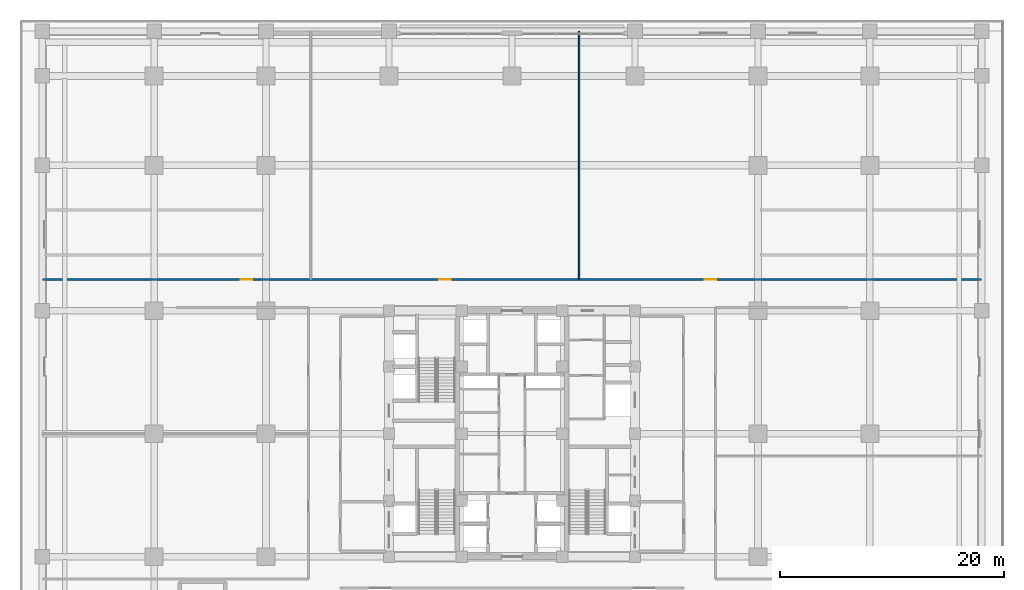
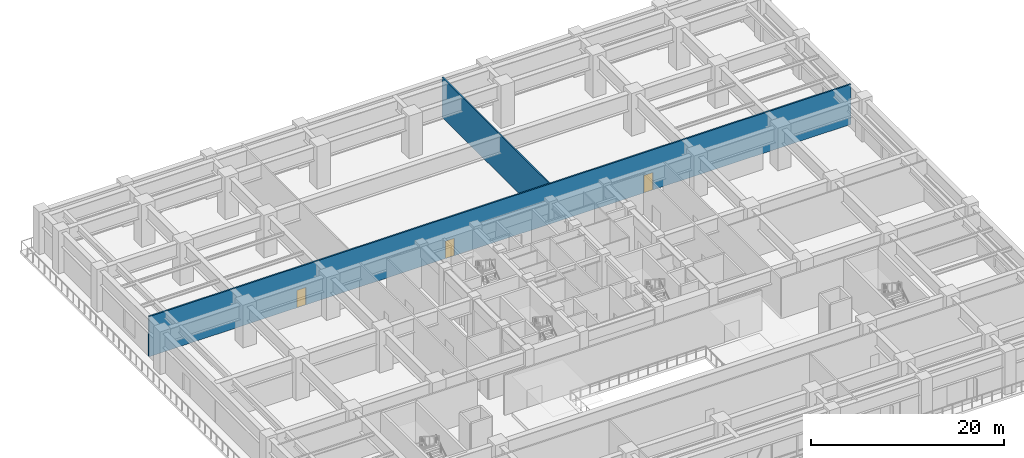
# One storey, part 19 of 28: 3 doors, 2 walls, 3 openings.
"""IFC4 building model written with IfcOpenShell, lengths in metres."""

from ifc_helpers import new_model, si_unit, direction, frame, frame_2d, origin, place, context, subcontext, project, spatial, rectangle, extrude, source, transform, mapped, material, layer, layer_set, type_object, element, fill, save


model = new_model("IFC4")

# Units and contexts
model_context = context("Model", 3, precision=1e-05, world=origin(), true_north=direction((0.0, 1.0)))
body_context = subcontext(model_context, "Body", "Model", "MODEL_VIEW")
ifc_project = project(units=[si_unit("LENGTHUNIT", "METRE"), si_unit("AREAUNIT", "SQUARE_METRE"), si_unit("VOLUMEUNIT", "CUBIC_METRE"), si_unit("PLANEANGLEUNIT", "RADIAN"), si_unit("MASSUNIT", "GRAM", prefix="KILO")], contexts=[model_context])

# Site, building, storey
site_placement = place(None, origin())
site = spatial("IfcSite", under=ifc_project, at=site_placement, CompositionType="ELEMENT")
building_placement = place(site_placement, origin())
building = spatial("IfcBuilding", under=site, at=building_placement, Name="Khorayat Bourse Tower", CompositionType="ELEMENT")
storey_placement = place(building_placement, frame((0.0, 0.0, 12.0)))
storey = spatial("IfcBuildingStorey", under=building, at=storey_placement, Name="L02", CompositionType="ELEMENT", Elevation=12.0)

# Wall, openings, doors
ifc_material_1 = material(Name="Gypsum plasterboard acoustic stud wall")
ifc_layer_1 = layer(ifc_material_1, 0.179931640625)
ifc_layer_set_1 = layer_set([ifc_layer_1], Name="Gypsum plasterboard acoustic stud wall")
wall_type_1 = type_object("IfcWallType", Name="WAL-PART-CORR-180", PredefinedType="PARTITIONING", material=ifc_layer_set_1)
shared_shape_1 = source(origin(), body_context, "Body", "SweptSolid", [
    extrude(rectangle(XDim=84.0, YDim=0.179931640625, at=frame_2d((42.0, 0.0))), origin(), (0.0, 0.0, 1.0), 5.080078125),
])
wall_1_placement = place(storey_placement, frame((-42.0, 13.800048828125, 0.0), z_axis=(0.0, 0.0, 1.0), x_axis=(1.0, 0.0, 0.0)))
wall_1 = element("IfcWall", 1, at=wall_1_placement, inside=storey, type_object=wall_type_1, Name="L02 Partition WAL-L02-PCORRN-N", PredefinedType="PARTITIONING", context=body_context, shape_type="MappedRepresentation", body=[
    mapped(shared_shape_1, transform((0.0, 0.0, 0.0), scale=1.0)),
])
shared_shape_2 = source(origin(), body_context, "Body", "SweptSolid", [
    extrude(rectangle(XDim=1.050048828125, YDim=2.199951171875, at=frame_2d((0.52490234375, 1.10009765625))), frame((0.0, 0.099853515625, 0.0), z_axis=(0.0, -1.0, 0.0), x_axis=(1.0, 0.0, 0.0)), (0.0, 0.0, 1.0), 0.199951171875),
])
opening_1_placement = place(wall_1_placement, frame((17.72509765625, 0.0, 0.0)))
opening_1 = element("IfcOpeningElement", 2, at=opening_1_placement, cuts=wall_1, Name="Opening DI-04", PredefinedType="OPENING", context=body_context, shape_type="MappedRepresentation", body=[
    mapped(shared_shape_2, transform((0.0, 0.0, 0.0), scale=1.0)),
])
opening_2_placement = place(wall_1_placement, frame((35.47509765625, 0.0, 0.0)))
opening_2 = element("IfcOpeningElement", 3, at=opening_2_placement, cuts=wall_1, Name="Opening DI-04", PredefinedType="OPENING", context=body_context, shape_type="MappedRepresentation", body=[
    mapped(shared_shape_2, transform((0.0, 0.0, 0.0), scale=1.0)),
])
opening_3_placement = place(wall_1_placement, frame((59.22509765625, 0.0, 0.0)))
opening_3 = element("IfcOpeningElement", 4, at=opening_3_placement, cuts=wall_1, Name="Opening DI-04", PredefinedType="OPENING", context=body_context, shape_type="MappedRepresentation", body=[
    mapped(shared_shape_2, transform((0.0, 0.0, 0.0), scale=1.0)),
])
ifc_material_2 = material(Name="Fire-rated oak veneer suite entrance door")
door_type = type_object("IfcDoorType", Name="DR-INT-SUITE-1050", OperationType="NOTDEFINED", PredefinedType="DOOR", material=ifc_material_2)
shared_shape_3 = source(origin(), body_context, "Body", "SweptSolid", [
    extrude(rectangle(XDim=1.050048828125, YDim=2.199951171875, at=frame_2d((0.52490234375, 1.10009765625))), frame((0.0, 0.02490234375, 0.0), z_axis=(0.0, -1.0, 0.0), x_axis=(1.0, 0.0, 0.0)), (0.0, 0.0, 1.0), 0.050048828125),
])
door_1_placement = place(opening_1_placement, origin())
door_1 = element("IfcDoor", 5, at=door_1_placement, inside=storey, type_object=door_type, Name="L02 Options Clearing Office Door", OperationType="SINGLE_SWING_LEFT", OverallHeight=2.199951171875, OverallWidth=1.050048828125, PredefinedType="DOOR", context=body_context, shape_type="MappedRepresentation", body=[
    mapped(shared_shape_3, transform((0.0, 0.0, 0.0), scale=1.0)),
])
fill(opening_1, door_1)
door_2_placement = place(opening_2_placement, origin())
door_2 = element("IfcDoor", 6, at=door_2_placement, inside=storey, type_object=door_type, Name="L02 Algorithmic Training Studio Door", OperationType="SINGLE_SWING_RIGHT", OverallHeight=2.199951171875, OverallWidth=1.050048828125, PredefinedType="DOOR", context=body_context, shape_type="MappedRepresentation", body=[
    mapped(shared_shape_3, transform((0.0, 0.0, 0.0), scale=1.0)),
])
fill(opening_2, door_2)
door_3_placement = place(opening_3_placement, origin())
door_3 = element("IfcDoor", 7, at=door_3_placement, inside=storey, type_object=door_type, Name="L02 Members Terrace Bistro Door", OperationType="SINGLE_SWING_LEFT", OverallHeight=2.199951171875, OverallWidth=1.050048828125, PredefinedType="DOOR", context=body_context, shape_type="MappedRepresentation", body=[
    mapped(shared_shape_3, transform((0.0, 0.0, 0.0), scale=1.0)),
])
fill(opening_3, door_3)

# Wall
ifc_material_3 = material(Name="Gypsum plasterboard twin-frame partition")
ifc_layer_2 = layer(ifc_material_3, 0.14990234375)
ifc_layer_set_2 = layer_set([ifc_layer_2], Name="Gypsum plasterboard twin-frame partition")
wall_type_2 = type_object("IfcWallType", Name="WAL-PART-SUITE-150", PredefinedType="PARTITIONING", material=ifc_layer_set_2)
shared_shape_4 = source(origin(), body_context, "Body", "SweptSolid", [
    extrude(rectangle(XDim=22.199951171875, YDim=0.14990234375, at=frame_2d((11.10009765625, 0.0))), origin(), (0.0, 0.0, 1.0), 5.080078125),
])
wall_2_placement = place(storey_placement, frame((6.0, 13.800048828125, 0.0), z_axis=(0.0, 0.0, 1.0), x_axis=(0.0, 1.0, 0.0)))
element("IfcWall", 8, at=wall_2_placement, inside=storey, type_object=wall_type_2, Name="L02 Partition WAL-L02-PN-DIV-2", PredefinedType="PARTITIONING", context=body_context, shape_type="MappedRepresentation", body=[
    mapped(shared_shape_4, transform((0.0, 0.0, 0.0), scale=1.0)),
])

save(model, "model.ifc")
